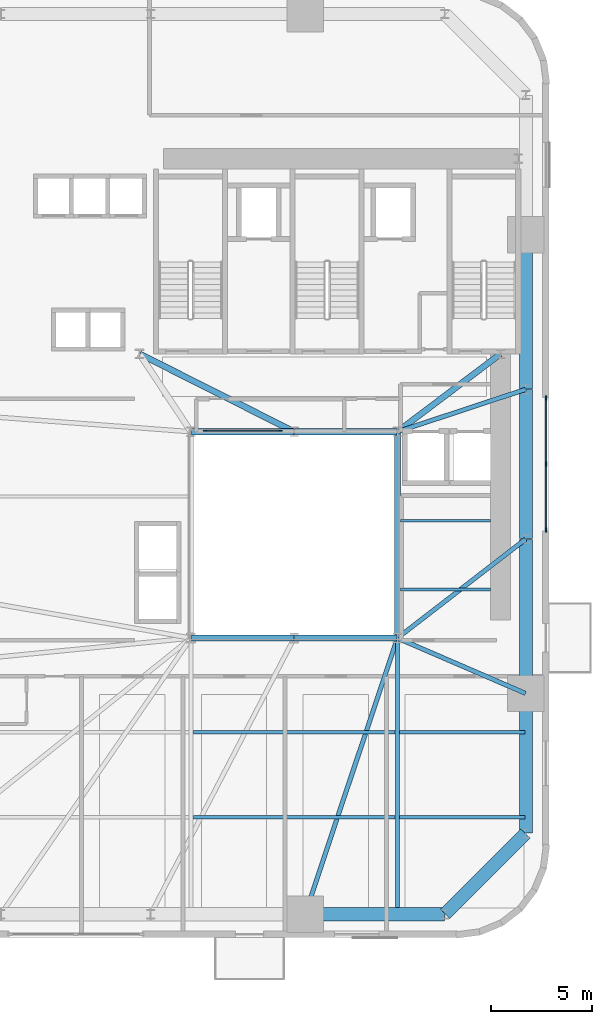
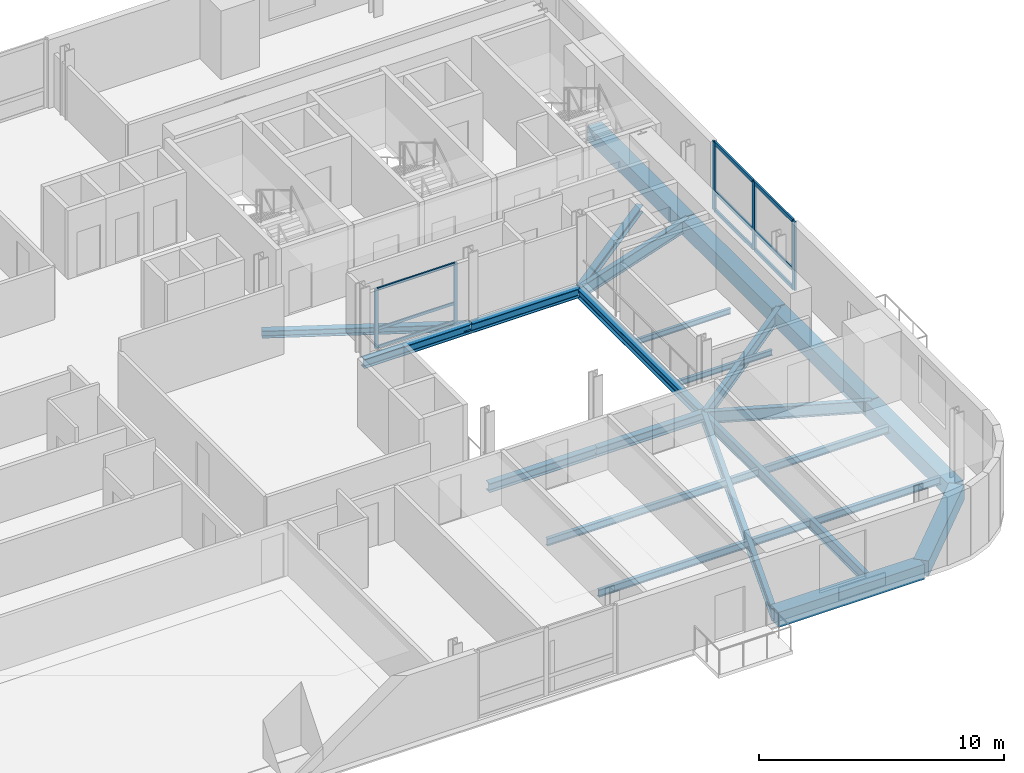
# One storey, part 3 of 13: 24 beams, 14 members, 2 elements without a shape of their own.
"""IFC4 building model written with IfcOpenShell, lengths in metres."""

from ifc_helpers import new_model, si_unit, direction, frame, origin, origin_2d, place, context, subcontext, project, spatial, rectangle, i_section, extrude, source, transform, mapped, material, material_profile, profile_set, type_object, element, aggregate, save


model = new_model("IFC4")

# Units and contexts
model_context = context("Model", 3, precision=1e-05, world=origin(), true_north=direction((0.0, 1.0)))
body_context = subcontext(model_context, "Body", "Model", "MODEL_VIEW")
ifc_project = project(units=[si_unit("LENGTHUNIT", "METRE"), si_unit("AREAUNIT", "SQUARE_METRE"), si_unit("VOLUMEUNIT", "CUBIC_METRE"), si_unit("PLANEANGLEUNIT", "RADIAN"), si_unit("MASSUNIT", "GRAM", prefix="KILO")], contexts=[model_context])

# Site, building, storey
site_placement = place(None, origin())
site = spatial("IfcSite", under=ifc_project, at=site_placement, CompositionType="ELEMENT")
building_placement = place(site_placement, origin())
building = spatial("IfcBuilding", under=site, at=building_placement, Name="Vardaveli Station Tower", CompositionType="ELEMENT")
storey_placement = place(building_placement, frame((0.0, 0.0, 38.550048828125)))
storey = spatial("IfcBuildingStorey", under=building, at=storey_placement, Name="L09", CompositionType="ELEMENT", Elevation=38.550048828125)

# Beams
ifc_material_1 = material(Name="Structural steel S355J2", Category="steel")
ifc_material_profile_1 = material_profile(ifc_material_1, i_section(OverallWidth=0.300048828125, OverallDepth=0.449951171875, WebThickness=0.013916015625, FlangeThickness=0.02587890625, FilletRadius=0.027099609375, at=origin_2d()), Name="HEB 450")
ifc_profile_set_1 = profile_set([ifc_material_profile_1], Name="Structural steel S355J2")
beam_type_1 = type_object("IfcBeamType", Name="BM-HEB450", PredefinedType="BEAM", material=ifc_profile_set_1)
shared_shape_1 = source(origin(), body_context, "Body", "SweptSolid", [
    extrude(i_section(OverallWidth=0.300048828125, OverallDepth=0.449951171875, WebThickness=0.013916015625, FlangeThickness=0.02587890625, FilletRadius=0.027099609375, at=origin_2d()), origin(), (0.0, 0.0, 1.0), 5.06005859375),
])
for number, where, z_axis, x_axis, name in (
    (1, (31.219970703125, 16.60009765625, -0.465087890625), (1.0, 0.0, 0.0), (0.0, 1.0, 0.0), "ABM-L09-01"),
    (2, (36.280029296875, 26.800048828125, -0.465087890625), (-1.0, 0.0, 0.0), (0.0, -1.0, 0.0), "ABM-L09-05"),
):
    element("IfcBeam", number, at=place(storey_placement, frame(where, z_axis=z_axis, x_axis=x_axis)), inside=storey, type_object=beam_type_1, Name=name, PredefinedType="BEAM", context=body_context, shape_type="MappedRepresentation", body=[
        mapped(shared_shape_1, transform((0.0, 0.0, 0.0), scale=1.0)),
    ])
shared_shape_2 = source(origin(), body_context, "Body", "SweptSolid", [
    extrude(i_section(OverallWidth=0.300048828125, OverallDepth=0.449951171875, WebThickness=0.013916015625, FlangeThickness=0.02587890625, FilletRadius=0.027099609375, at=origin_2d()), origin(), (0.0, 0.0, 1.0), 5.059814453125),
])
for number, where, z_axis, x_axis, name in (
    (3, (36.320068359375, 16.60009765625, -0.465087890625), (1.0, 0.0, 0.0), (0.0, 1.0, 0.0), "ABM-L09-02"),
    (4, (41.3798828125, 26.800048828125, -0.465087890625), (-1.0, 0.0, 0.0), (0.0, -1.0, 0.0), "ABM-L09-04"),
):
    element("IfcBeam", number, at=place(storey_placement, frame(where, z_axis=z_axis, x_axis=x_axis)), inside=storey, type_object=beam_type_1, Name=name, PredefinedType="BEAM", context=body_context, shape_type="MappedRepresentation", body=[
        mapped(shared_shape_2, transform((0.0, 0.0, 0.0), scale=1.0)),
    ])
shared_shape_3 = source(origin(), body_context, "Body", "SweptSolid", [
    extrude(i_section(OverallWidth=0.300048828125, OverallDepth=0.449951171875, WebThickness=0.013916015625, FlangeThickness=0.02587890625, FilletRadius=0.027099609375, at=origin_2d()), origin(), (0.0, 0.0, 1.0), 10.159912109375),
])
beam_1_placement = place(storey_placement, frame((41.39990234375, 16.6201171875, -0.465087890625), z_axis=(0.0, 1.0, 0.0), x_axis=(-1.0, 0.0, 0.0)))
element("IfcBeam", 5, at=beam_1_placement, inside=storey, type_object=beam_type_1, Name="ABM-L09-03", PredefinedType="BEAM", context=body_context, shape_type="MappedRepresentation", body=[
    mapped(shared_shape_3, transform((0.0, 0.0, 0.0), scale=1.0)),
])
ifc_material_profile_2 = material_profile(ifc_material_1, i_section(OverallWidth=0.300048828125, OverallDepth=0.360107421875, WebThickness=0.012451171875, FlangeThickness=0.0224609375, FilletRadius=0.027099609375, at=origin_2d()), Name="HEB 360")
ifc_profile_set_2 = profile_set([ifc_material_profile_2], Name="Structural steel S355J2")
beam_type_2 = type_object("IfcBeamType", Name="BM-HEB360", PredefinedType="BEAM", material=ifc_profile_set_2)
shared_shape_4 = source(origin(), body_context, "Body", "SweptSolid", [
    extrude(i_section(OverallWidth=0.300048828125, OverallDepth=0.360107421875, WebThickness=0.012451171875, FlangeThickness=0.0224609375, FilletRadius=0.027099609375, at=origin_2d()), origin(), (0.0, 0.0, 1.0), 6.35009765625),
])
beam_2_placement = place(storey_placement, frame((41.416015625, 26.81201171875, -0.420166015625), z_axis=(0.798118337722, 0.602500721154, 0.0), x_axis=(-0.602500721154, 0.798118337722, 0.0)))
element("IfcBeam", 6, at=beam_2_placement, inside=storey, type_object=beam_type_2, Name="CBM-L09-02", PredefinedType="BEAM", context=body_context, shape_type="MappedRepresentation", body=[
    mapped(shared_shape_4, transform((0.0, 0.0, 0.0), scale=1.0)),
])
shared_shape_5 = source(origin(), body_context, "Body", "SweptSolid", [
    extrude(i_section(OverallWidth=0.300048828125, OverallDepth=0.360107421875, WebThickness=0.012451171875, FlangeThickness=0.0224609375, FilletRadius=0.027099609375, at=origin_2d()), origin(), (0.0, 0.0, 1.0), 8.524169921875),
])
beam_3_placement = place(storey_placement, frame((28.66796875, 30.64111328125, -0.420166015625), z_axis=(0.893255584708, -0.449549174605, 0.0), x_axis=(0.449549174605, 0.893255584708, 0.0)))
element("IfcBeam", 7, at=beam_3_placement, inside=storey, type_object=beam_type_2, Name="CBM-L09-03", PredefinedType="BEAM", context=body_context, shape_type="MappedRepresentation", body=[
    mapped(shared_shape_5, transform((0.0, 0.0, 0.0), scale=1.0)),
])
ifc_material_2 = material(Name="Precast concrete C45/55", Category="concrete")
ifc_material_profile_3 = material_profile(ifc_material_2, rectangle(XDim=0.64990234375, YDim=0.75, at=origin_2d()), Name="LPB 650x750")
ifc_profile_set_3 = profile_set([ifc_material_profile_3], Name="Precast concrete C45/55")
beam_type_3 = type_object("IfcBeamType", Name="BM-LPB-750", PredefinedType="BEAM", material=ifc_profile_set_3)
shared_shape_6 = source(origin(), body_context, "Body", "SweptSolid", [
    extrude(rectangle(XDim=0.64990234375, YDim=0.75, at=origin_2d()), origin(), (0.0, 0.0, 1.0), 7.60009765625),
])
for number, where, z_axis, x_axis, name in (
    (8, (47.75, 13.8798828125, -0.614990234375), (0.0, 1.0, 0.0), (-1.0, 0.0, 0.0), "RBM-L09-07"),
    (9, (47.75, 28.919921875, -0.614990234375), (0.0, 1.0, 0.0), (-1.0, 0.0, 0.0), "RBM-L09-09"),
):
    element("IfcBeam", number, at=place(storey_placement, frame(where, z_axis=z_axis, x_axis=x_axis)), inside=storey, type_object=beam_type_3, Name=name, PredefinedType="BEAM", context=body_context, shape_type="MappedRepresentation", body=[
        mapped(shared_shape_6, transform((0.0, 0.0, 0.0), scale=1.0)),
    ])
shared_shape_7 = source(origin(), body_context, "Body", "SweptSolid", [
    extrude(rectangle(XDim=0.64990234375, YDim=0.75, at=origin_2d()), origin(), (0.0, 0.0, 1.0), 7.35986328125),
])
beam_4_placement = place(storey_placement, frame((47.75, 21.52001953125, -0.614990234375), z_axis=(0.0, 1.0, 0.0), x_axis=(-1.0, 0.0, 0.0)))
element("IfcBeam", 10, at=beam_4_placement, inside=storey, type_object=beam_type_3, Name="RBM-L09-08", PredefinedType="BEAM", context=body_context, shape_type="MappedRepresentation", body=[
    mapped(shared_shape_7, transform((0.0, 0.0, 0.0), scale=1.0)),
])
shared_shape_8 = source(origin(), body_context, "Body", "SweptSolid", [
    extrude(rectangle(XDim=0.64990234375, YDim=0.75, at=origin_2d()), origin(), (0.0, 0.0, 1.0), 6.869873046875),
])
beam_5_placement = place(storey_placement, frame((36.860107421875, 2.949951171875, -0.614990234375), z_axis=(1.0, 0.0, 0.0), x_axis=(0.0, 1.0, 0.0)))
element("IfcBeam", 11, at=beam_5_placement, inside=storey, type_object=beam_type_3, Name="RBM-L09-04", PredefinedType="BEAM", context=body_context, shape_type="MappedRepresentation", body=[
    mapped(shared_shape_8, transform((0.0, 0.0, 0.0), scale=1.0)),
])
shared_shape_9 = source(origin(), body_context, "Body", "SweptSolid", [
    extrude(rectangle(XDim=0.64990234375, YDim=0.75, at=origin_2d()), origin(), (0.0, 0.0, 1.0), 5.61669921875),
])
beam_6_placement = place(storey_placement, frame((43.76416015625, 2.964111328125, -0.614990234375), z_axis=(0.707106781187, 0.707106781187, 0.0), x_axis=(-0.707106781187, 0.707106781187, 0.0)))
element("IfcBeam", 12, at=beam_6_placement, inside=storey, type_object=beam_type_3, Name="RBM-L09-05", PredefinedType="BEAM", context=body_context, shape_type="MappedRepresentation", body=[
    mapped(shared_shape_9, transform((0.0, 0.0, 0.0), scale=1.0)),
])
shared_shape_10 = source(origin(), body_context, "Body", "SweptSolid", [
    extrude(rectangle(XDim=0.64990234375, YDim=0.75, at=origin_2d()), origin(), (0.0, 0.0, 1.0), 6.8701171875),
])
beam_7_placement = place(storey_placement, frame((47.75, 6.969970703125, -0.614990234375), z_axis=(0.0, 1.0, 0.0), x_axis=(-1.0, 0.0, 0.0)))
element("IfcBeam", 13, at=beam_7_placement, inside=storey, type_object=beam_type_3, Name="RBM-L09-06", PredefinedType="BEAM", context=body_context, shape_type="MappedRepresentation", body=[
    mapped(shared_shape_10, transform((0.0, 0.0, 0.0), scale=1.0)),
])
ifc_material_profile_4 = material_profile(ifc_material_1, i_section(OverallWidth=0.219970703125, OverallDepth=0.60009765625, WebThickness=0.011962890625, FlangeThickness=0.01904296875, FilletRadius=0.02392578125, at=origin_2d()), Name="IPE 600")
ifc_profile_set_4 = profile_set([ifc_material_profile_4], Name="Structural steel S355J2")
beam_type_4 = type_object("IfcBeamType", Name="BM-IPE600", PredefinedType="BEAM", material=ifc_profile_set_4)
shared_shape_11 = source(origin(), body_context, "Body", "SweptSolid", [
    extrude(i_section(OverallWidth=0.219970703125, OverallDepth=0.60009765625, WebThickness=0.011962890625, FlangeThickness=0.01904296875, FilletRadius=0.02392578125, at=origin_2d()), origin(), (0.0, 0.0, 1.0), 14.3515625),
])
beam_8_placement = place(storey_placement, frame((36.846435546875, 2.968994140625, -0.5400390625), z_axis=(0.316840115921, 0.948478961782, 0.0), x_axis=(-0.948478961782, 0.316840115921, 0.0)))
element("IfcBeam", 14, at=beam_8_placement, inside=storey, type_object=beam_type_4, Name="GBM-L09-04", PredefinedType="BEAM", context=body_context, shape_type="MappedRepresentation", body=[
    mapped(shared_shape_11, transform((0.0, 0.0, 0.0), scale=1.0)),
])
shared_shape_12 = source(origin(), body_context, "Body", "SweptSolid", [
    extrude(i_section(OverallWidth=0.219970703125, OverallDepth=0.60009765625, WebThickness=0.011962890625, FlangeThickness=0.01904296875, FilletRadius=0.02392578125, at=origin_2d()), origin(), (0.0, 0.0, 1.0), 6.8759765625),
])
beam_9_placement = place(storey_placement, frame((47.731689453125, 13.867919921875, -0.5400390625), z_axis=(-0.918170694621, 0.396185026899, 0.0), x_axis=(-0.396185026899, -0.918170694621, 0.0)))
element("IfcBeam", 15, at=beam_9_placement, inside=storey, type_object=beam_type_4, Name="GBM-L09-05", PredefinedType="BEAM", context=body_context, shape_type="MappedRepresentation", body=[
    mapped(shared_shape_12, transform((0.0, 0.0, 0.0), scale=1.0)),
])
shared_shape_13 = source(origin(), body_context, "Body", "SweptSolid", [
    extrude(i_section(OverallWidth=0.219970703125, OverallDepth=0.60009765625, WebThickness=0.011962890625, FlangeThickness=0.01904296875, FilletRadius=0.02392578125, at=origin_2d()), origin(), (0.0, 0.0, 1.0), 7.980712890625),
])
beam_10_placement = place(storey_placement, frame((47.734130859375, 21.48779296875, -0.5400390625), z_axis=(-0.791701934907, -0.610907559509, 0.0), x_axis=(0.610907559509, -0.791701934907, 0.0)))
element("IfcBeam", 16, at=beam_10_placement, inside=storey, type_object=beam_type_4, Name="GBM-L09-06", PredefinedType="BEAM", context=body_context, shape_type="MappedRepresentation", body=[
    mapped(shared_shape_13, transform((0.0, 0.0, 0.0), scale=1.0)),
])
shared_shape_14 = source(origin(), body_context, "Body", "SweptSolid", [
    extrude(i_section(OverallWidth=0.219970703125, OverallDepth=0.60009765625, WebThickness=0.011962890625, FlangeThickness=0.01904296875, FilletRadius=0.02392578125, at=origin_2d()), origin(), (0.0, 0.0, 1.0), 6.648193359375),
])
beam_11_placement = place(storey_placement, frame((47.73095703125, 28.893798828125, -0.5400390625), z_axis=(-0.949429779906, -0.313979446824, 0.0), x_axis=(0.313979446824, -0.949429779906, 0.0)))
element("IfcBeam", 17, at=beam_11_placement, inside=storey, type_object=beam_type_4, Name="GBM-L09-07", PredefinedType="BEAM", context=body_context, shape_type="MappedRepresentation", body=[
    mapped(shared_shape_14, transform((0.0, 0.0, 0.0), scale=1.0)),
])
ifc_material_profile_5 = material_profile(ifc_material_1, i_section(OverallWidth=0.2099609375, OverallDepth=0.550048828125, WebThickness=0.010986328125, FlangeThickness=0.01708984375, FilletRadius=0.02392578125, at=origin_2d()), Name="IPE 550")
ifc_profile_set_5 = profile_set([ifc_material_profile_5], Name="Structural steel S355J2")
beam_type_5 = type_object("IfcBeamType", Name="BM-IPE550", PredefinedType="BEAM", material=ifc_profile_set_5)
shared_shape_15 = source(origin(), body_context, "Body", "SweptSolid", [
    extrude(i_section(OverallWidth=0.2099609375, OverallDepth=0.550048828125, WebThickness=0.010986328125, FlangeThickness=0.01708984375, FilletRadius=0.02392578125, at=origin_2d()), origin(), (0.0, 0.0, 1.0), 13.469970703125),
])
beam_12_placement = place(storey_placement, frame((41.39990234375, 2.989990234375, -0.51513671875), z_axis=(0.0, 1.0, 0.0), x_axis=(-1.0, 0.0, 0.0)))
element("IfcBeam", 18, at=beam_12_placement, inside=storey, type_object=beam_type_5, Name="NSM-L09-S2", PredefinedType="BEAM", context=body_context, shape_type="MappedRepresentation", body=[
    mapped(shared_shape_15, transform((0.0, 0.0, 0.0), scale=1.0)),
])
ifc_material_profile_6 = material_profile(ifc_material_1, i_section(OverallWidth=0.169921875, OverallDepth=0.360107421875, WebThickness=0.008056640625, FlangeThickness=0.0126953125, FilletRadius=0.01806640625, at=origin_2d()), Name="IPE 360")
ifc_profile_set_6 = profile_set([ifc_material_profile_6], Name="Structural steel S355J2")
beam_type_6 = type_object("IfcBeamType", Name="BM-IPE360", PredefinedType="JOIST", material=ifc_profile_set_6)
shared_shape_16 = source(origin(), body_context, "Body", "SweptSolid", [
    extrude(i_section(OverallWidth=0.169921875, OverallDepth=0.360107421875, WebThickness=0.008056640625, FlangeThickness=0.0126953125, FilletRadius=0.01806640625, at=origin_2d()), origin(), (0.0, 0.0, 1.0), 9.97607421875),
])
for number, where, z_axis, x_axis, name in (
    (19, (31.31201171875, 7.75, -0.420166015625), (1.0, 0.0, 0.0), (0.0, 1.0, 0.0), "SJ-L09-S02"),
    (20, (31.31201171875, 11.949951171875, -0.420166015625), (1.0, 0.0, 0.0), (0.0, 1.0, 0.0), "SJ-L09-S05"),
):
    element("IfcBeam", number, at=place(storey_placement, frame(where, z_axis=z_axis, x_axis=x_axis)), inside=storey, type_object=beam_type_6, Name=name, PredefinedType="JOIST", context=body_context, shape_type="MappedRepresentation", body=[
        mapped(shared_shape_16, transform((0.0, 0.0, 0.0), scale=1.0)),
    ])
shared_shape_17 = source(origin(), body_context, "Body", "SweptSolid", [
    extrude(i_section(OverallWidth=0.169921875, OverallDepth=0.360107421875, WebThickness=0.008056640625, FlangeThickness=0.0126953125, FilletRadius=0.01806640625, at=origin_2d()), origin(), (0.0, 0.0, 1.0), 6.197998046875),
])
for number, where, z_axis, x_axis, name in (
    (21, (41.511962890625, 7.75, -0.420166015625), (1.0, 0.0, 0.0), (0.0, 1.0, 0.0), "SJ-L09-S03"),
    (22, (41.511962890625, 11.949951171875, -0.420166015625), (1.0, 0.0, 0.0), (0.0, 1.0, 0.0), "SJ-L09-S06"),
):
    element("IfcBeam", number, at=place(storey_placement, frame(where, z_axis=z_axis, x_axis=x_axis)), inside=storey, type_object=beam_type_6, Name=name, PredefinedType="JOIST", context=body_context, shape_type="MappedRepresentation", body=[
        mapped(shared_shape_17, transform((0.0, 0.0, 0.0), scale=1.0)),
    ])
ifc_material_profile_7 = material_profile(ifc_material_1, i_section(OverallWidth=0.135009765625, OverallDepth=0.27001953125, WebThickness=0.006591796875, FlangeThickness=0.01025390625, FilletRadius=0.014892578125, at=origin_2d()), Name="IPE 270")
ifc_profile_set_7 = profile_set([ifc_material_profile_7], Name="Structural steel S355J2")
beam_type_7 = type_object("IfcBeamType", Name="BM-IPE270", PredefinedType="BEAM", material=ifc_profile_set_7)
shared_shape_18 = source(origin(), body_context, "Body", "SweptSolid", [
    extrude(i_section(OverallWidth=0.135009765625, OverallDepth=0.27001953125, WebThickness=0.006591796875, FlangeThickness=0.01025390625, FilletRadius=0.014892578125, at=origin_2d()), origin(), (0.0, 0.0, 1.0), 4.43017578125),
])
for number, where, z_axis, x_axis, name in (
    (23, (41.56494140625, 19.0, -0.375), (1.0, 0.0, 0.0), (0.0, 1.0, 0.0), "TJ-L09-01"),
    (24, (41.56494140625, 22.39990234375, -0.375), (1.0, 0.0, 0.0), (0.0, 1.0, 0.0), "TJ-L09-02"),
):
    element("IfcBeam", number, at=place(storey_placement, frame(where, z_axis=z_axis, x_axis=x_axis)), inside=storey, type_object=beam_type_7, Name=name, PredefinedType="BEAM", context=body_context, shape_type="MappedRepresentation", body=[
        mapped(shared_shape_18, transform((0.0, 0.0, 0.0), scale=1.0)),
    ])

# Curtain wall, members
ifc_material_3 = material(Name="Travertine stone and solar-control glass", Category="masonry")
curtain_wall_type_1 = type_object("IfcCurtainWallType", Name="CW-SYS-2", PredefinedType="NOTDEFINED", material=ifc_material_3)
curtain_wall_1_placement = place(storey_placement, origin())
curtain_wall_1 = element("IfcCurtainWall", 25, at=curtain_wall_1_placement, inside=storey, type_object=curtain_wall_type_1, Name="CW-L09-E", PredefinedType="NOTDEFINED")
ifc_material_4 = material(Name="Anodised aluminium alloy 6063-T6", Category="aluminium")
ifc_material_profile_8 = material_profile(ifc_material_4, rectangle(XDim=0.0849609375, YDim=0.219970703125, at=origin_2d()), Name="CWM 85x220")
ifc_profile_set_8 = profile_set([ifc_material_profile_8], Name="Anodised aluminium alloy 6063-T6")
member_type_1 = type_object("IfcMemberType", Name="CW-SYS-2-MULL", PredefinedType="MULLION", material=ifc_profile_set_8)
shared_shape_19 = source(origin(), body_context, "Body", "SweptSolid", [
    extrude(rectangle(XDim=0.0849609375, YDim=0.219970703125, at=origin_2d()), origin(), (0.0, 0.0, 1.0), 3.409912109375),
])
member_1_placement = place(storey_placement, frame((48.739990234375, 21.9423828125, 0.0), z_axis=(0.0, 0.0, 1.0), x_axis=(-1.0, 0.0, 0.0)))
member_1 = element("IfcMember", 26, at=member_1_placement, type_object=member_type_1, Name="CW-2 mullion 1", PredefinedType="MULLION", context=body_context, shape_type="MappedRepresentation", body=[
    mapped(shared_shape_19, transform((0.0, 0.0, 0.0), scale=1.0)),
])
member_2_placement = place(storey_placement, frame((48.739990234375, 25.199951171875, 0.0), z_axis=(0.0, 0.0, 1.0), x_axis=(-1.0, 0.0, 0.0)))
member_2 = element("IfcMember", 27, at=member_2_placement, type_object=member_type_1, Name="CW-2 mullion 2", PredefinedType="MULLION", context=body_context, shape_type="MappedRepresentation", body=[
    mapped(shared_shape_19, transform((0.0, 0.0, 0.0), scale=1.0)),
])
member_3_placement = place(storey_placement, frame((48.739990234375, 28.45751953125, 0.0), z_axis=(0.0, 0.0, 1.0), x_axis=(-1.0, 0.0, 0.0)))
member_3 = element("IfcMember", 28, at=member_3_placement, type_object=member_type_1, Name="CW-2 mullion 3", PredefinedType="MULLION", context=body_context, shape_type="MappedRepresentation", body=[
    mapped(shared_shape_19, transform((0.0, 0.0, 0.0), scale=1.0)),
])
ifc_material_profile_9 = material_profile(ifc_material_4, rectangle(XDim=0.0849609375, YDim=0.179931640625, at=origin_2d()), Name="CWT 85x180")
ifc_profile_set_9 = profile_set([ifc_material_profile_9], Name="Anodised aluminium alloy 6063-T6")
member_type_2 = type_object("IfcMemberType", Name="CW-SYS-2-TRAN", PredefinedType="NOTDEFINED", material=ifc_profile_set_9)
shared_shape_20 = source(origin(), body_context, "Body", "SweptSolid", [
    extrude(rectangle(XDim=0.0849609375, YDim=0.179931640625, at=origin_2d()), origin(), (0.0, 0.0, 1.0), 3.172607421875),
])
member_4_placement = place(storey_placement, frame((48.739990234375, 25.242431640625, 0.04248046875), z_axis=(0.0, 1.0, 0.0), x_axis=(-1.0, 0.0, 0.0)))
member_4 = element("IfcMember", 29, at=member_4_placement, type_object=member_type_2, Name="CW-2 transom 2.1", ObjectType="TRANSOM", PredefinedType="USERDEFINED", context=body_context, shape_type="MappedRepresentation", body=[
    mapped(shared_shape_20, transform((0.0, 0.0, 0.0), scale=1.0)),
])
member_5_placement = place(storey_placement, frame((48.739990234375, 25.242431640625, 0.949951171875), z_axis=(0.0, 1.0, 0.0), x_axis=(-1.0, 0.0, 0.0)))
member_5 = element("IfcMember", 30, at=member_5_placement, type_object=member_type_2, Name="CW-2 transom 2.2", ObjectType="TRANSOM", PredefinedType="USERDEFINED", context=body_context, shape_type="MappedRepresentation", body=[
    mapped(shared_shape_20, transform((0.0, 0.0, 0.0), scale=1.0)),
])
member_6_placement = place(storey_placement, frame((48.739990234375, 25.242431640625, 3.367431640625), z_axis=(0.0, 1.0, 0.0), x_axis=(-1.0, 0.0, 0.0)))
member_6 = element("IfcMember", 31, at=member_6_placement, type_object=member_type_2, Name="CW-2 transom 2.3", ObjectType="TRANSOM", PredefinedType="USERDEFINED", context=body_context, shape_type="MappedRepresentation", body=[
    mapped(shared_shape_20, transform((0.0, 0.0, 0.0), scale=1.0)),
])
shared_shape_21 = source(origin(), body_context, "Body", "SweptSolid", [
    extrude(rectangle(XDim=0.0849609375, YDim=0.179931640625, at=origin_2d()), origin(), (0.0, 0.0, 1.0), 3.17236328125),
])
member_7_placement = place(storey_placement, frame((48.739990234375, 21.985107421875, 0.04248046875), z_axis=(0.0, 1.0, 0.0), x_axis=(-1.0, 0.0, 0.0)))
member_7 = element("IfcMember", 32, at=member_7_placement, type_object=member_type_2, Name="CW-2 transom 1.1", ObjectType="TRANSOM", PredefinedType="USERDEFINED", context=body_context, shape_type="MappedRepresentation", body=[
    mapped(shared_shape_21, transform((0.0, 0.0, 0.0), scale=1.0)),
])
member_8_placement = place(storey_placement, frame((48.739990234375, 21.985107421875, 0.949951171875), z_axis=(0.0, 1.0, 0.0), x_axis=(-1.0, 0.0, 0.0)))
member_8 = element("IfcMember", 33, at=member_8_placement, type_object=member_type_2, Name="CW-2 transom 1.2", ObjectType="TRANSOM", PredefinedType="USERDEFINED", context=body_context, shape_type="MappedRepresentation", body=[
    mapped(shared_shape_21, transform((0.0, 0.0, 0.0), scale=1.0)),
])
member_9_placement = place(storey_placement, frame((48.739990234375, 21.985107421875, 3.367431640625), z_axis=(0.0, 1.0, 0.0), x_axis=(-1.0, 0.0, 0.0)))
member_9 = element("IfcMember", 34, at=member_9_placement, type_object=member_type_2, Name="CW-2 transom 1.3", ObjectType="TRANSOM", PredefinedType="USERDEFINED", context=body_context, shape_type="MappedRepresentation", body=[
    mapped(shared_shape_21, transform((0.0, 0.0, 0.0), scale=1.0)),
])
aggregate(curtain_wall_1, [member_1, member_2, member_3, member_7, member_8, member_9, member_4, member_5, member_6])

curtain_wall_type_2 = type_object("IfcCurtainWallType", Name="CW-SYS-4", PredefinedType="NOTDEFINED", material=ifc_material_3)
curtain_wall_2_placement = place(storey_placement, origin())
curtain_wall_2 = element("IfcCurtainWall", 35, at=curtain_wall_2_placement, inside=storey, type_object=curtain_wall_type_2, Name="CW-L09-ATN", PredefinedType="NOTDEFINED")
ifc_material_profile_10 = material_profile(ifc_material_4, rectangle(XDim=0.070068359375, YDim=0.1650390625, at=origin_2d()), Name="CWM 70x165")
ifc_profile_set_10 = profile_set([ifc_material_profile_10], Name="Anodised aluminium alloy 6063-T6")
member_type_3 = type_object("IfcMemberType", Name="CW-SYS-4-MULL", PredefinedType="MULLION", material=ifc_profile_set_10)
shared_shape_22 = source(origin(), body_context, "Body", "SweptSolid", [
    extrude(rectangle(XDim=0.070068359375, YDim=0.1650390625, at=origin_2d()), origin(), (0.0, 0.0, 1.0), 2.949951171875),
])
member_10_placement = place(storey_placement, frame((31.885009765625, 26.85009765625, 0.0), z_axis=(0.0, 0.0, 1.0), x_axis=(0.0, 1.0, 0.0)))
member_10 = element("IfcMember", 36, at=member_10_placement, type_object=member_type_3, Name="CW-4 mullion 1", PredefinedType="MULLION", context=body_context, shape_type="MappedRepresentation", body=[
    mapped(shared_shape_22, transform((0.0, 0.0, 0.0), scale=1.0)),
])
member_11_placement = place(storey_placement, frame((35.614990234375, 26.85009765625, 0.0), z_axis=(0.0, 0.0, 1.0), x_axis=(0.0, 1.0, 0.0)))
member_11 = element("IfcMember", 37, at=member_11_placement, type_object=member_type_3, Name="CW-4 mullion 2", PredefinedType="MULLION", context=body_context, shape_type="MappedRepresentation", body=[
    mapped(shared_shape_22, transform((0.0, 0.0, 0.0), scale=1.0)),
])
ifc_material_profile_11 = material_profile(ifc_material_4, rectangle(XDim=0.070068359375, YDim=0.135009765625, at=origin_2d()), Name="CWT 70x135")
ifc_profile_set_11 = profile_set([ifc_material_profile_11], Name="Anodised aluminium alloy 6063-T6")
member_type_4 = type_object("IfcMemberType", Name="CW-SYS-4-TRAN", PredefinedType="NOTDEFINED", material=ifc_profile_set_11)
shared_shape_23 = source(origin(), body_context, "Body", "SweptSolid", [
    extrude(rectangle(XDim=0.070068359375, YDim=0.135009765625, at=origin_2d()), origin(), (0.0, 0.0, 1.0), 3.66015625),
])
member_12_placement = place(storey_placement, frame((31.919921875, 26.85009765625, 0.034912109375), z_axis=(1.0, 0.0, 0.0), x_axis=(0.0, 1.0, 0.0)))
member_12 = element("IfcMember", 38, at=member_12_placement, type_object=member_type_4, Name="CW-4 transom 1.1", ObjectType="TRANSOM", PredefinedType="USERDEFINED", context=body_context, shape_type="MappedRepresentation", body=[
    mapped(shared_shape_23, transform((0.0, 0.0, 0.0), scale=1.0)),
])
member_13_placement = place(storey_placement, frame((31.919921875, 26.85009765625, 0.949951171875), z_axis=(1.0, 0.0, 0.0), x_axis=(0.0, 1.0, 0.0)))
member_13 = element("IfcMember", 39, at=member_13_placement, type_object=member_type_4, Name="CW-4 transom 1.2", ObjectType="TRANSOM", PredefinedType="USERDEFINED", context=body_context, shape_type="MappedRepresentation", body=[
    mapped(shared_shape_23, transform((0.0, 0.0, 0.0), scale=1.0)),
])
member_14_placement = place(storey_placement, frame((31.919921875, 26.85009765625, 2.9150390625), z_axis=(1.0, 0.0, 0.0), x_axis=(0.0, 1.0, 0.0)))
member_14 = element("IfcMember", 40, at=member_14_placement, type_object=member_type_4, Name="CW-4 transom 1.3", ObjectType="TRANSOM", PredefinedType="USERDEFINED", context=body_context, shape_type="MappedRepresentation", body=[
    mapped(shared_shape_23, transform((0.0, 0.0, 0.0), scale=1.0)),
])
aggregate(curtain_wall_2, [member_10, member_11, member_12, member_13, member_14])

save(model, "model.ifc")
